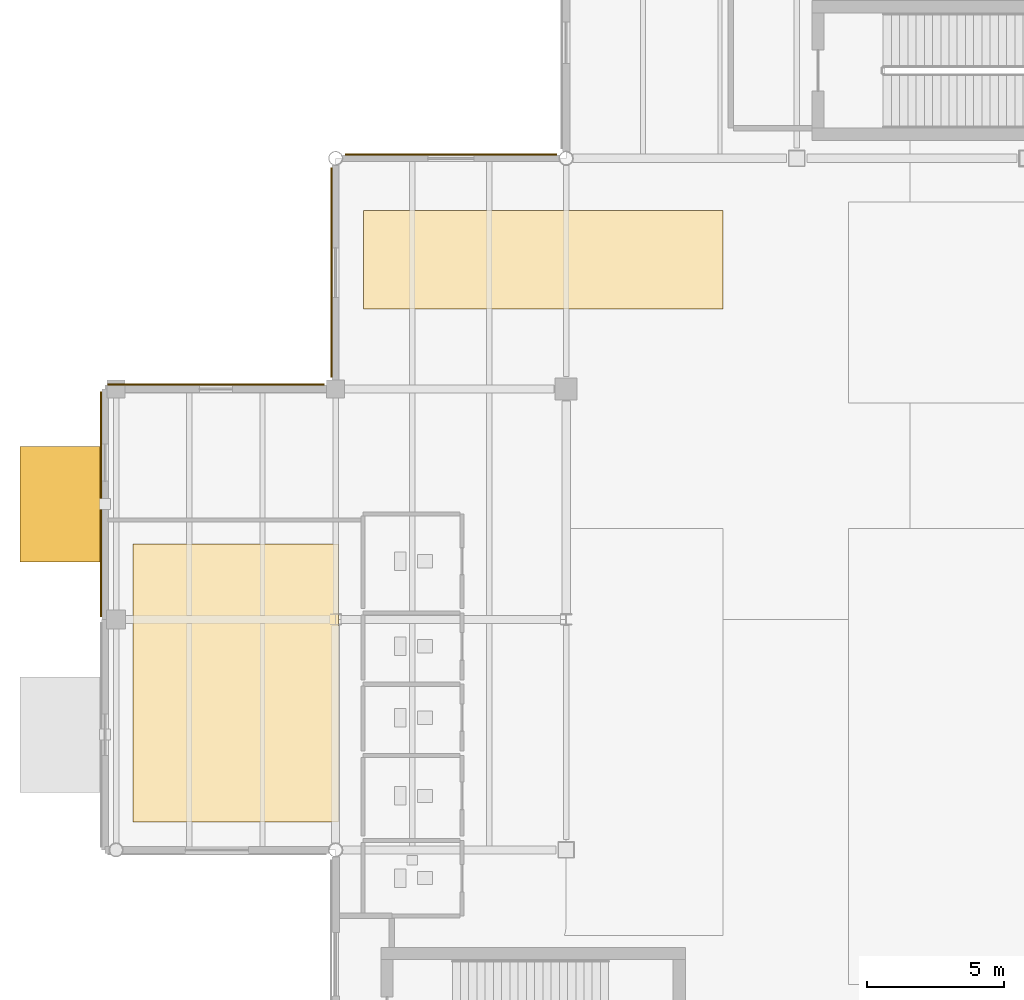
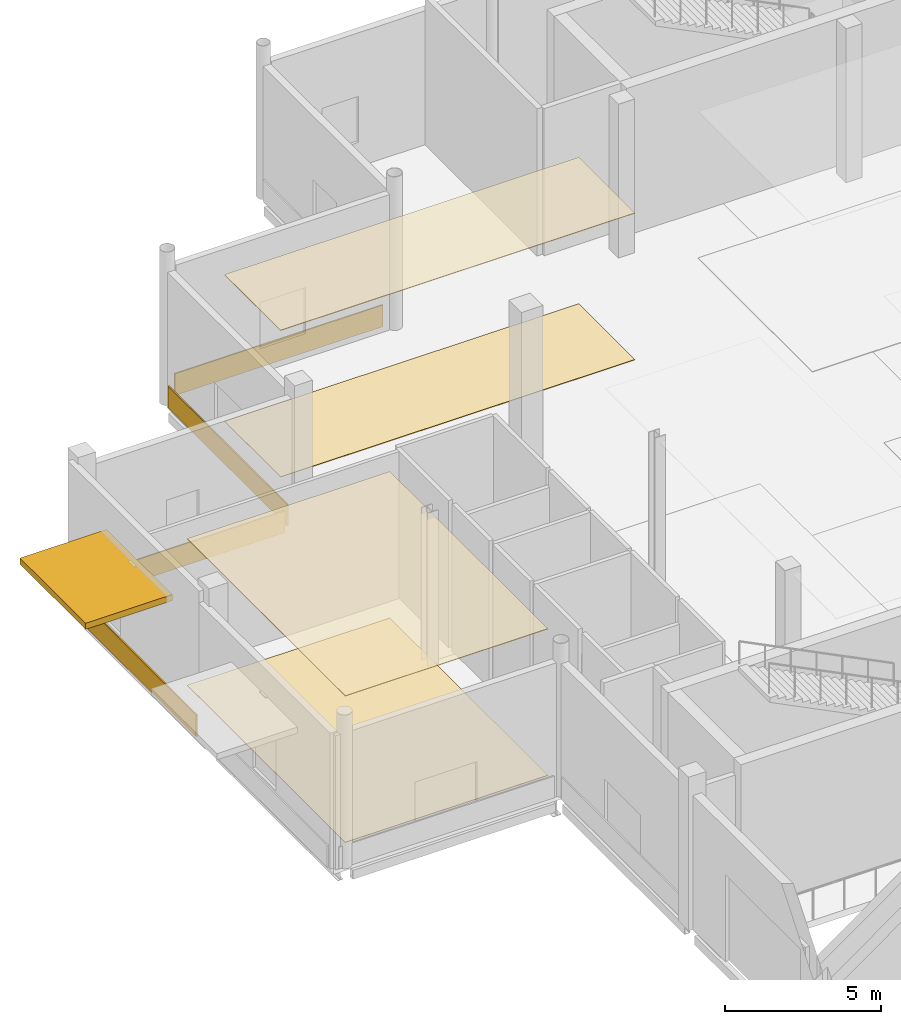
# One storey, part 73 of 85: 8 coverings, 1 shading device.
"""IFC4 building model written with IfcOpenShell, lengths in metres."""

from ifc_helpers import new_model, si_unit, direction, frame, origin, origin_2d, place, context, subcontext, project, spatial, polyline, rectangle, outline, extrude, material, layer, layer_set, type_object, element, save


model = new_model("IFC4")

# Units and contexts
model_context = context("Model", 3, precision=1e-05, world=origin(), true_north=direction((0.0, 1.0)))
body_context = subcontext(model_context, "Body", "Model", "MODEL_VIEW")
ifc_project = project(units=[si_unit("LENGTHUNIT", "METRE"), si_unit("AREAUNIT", "SQUARE_METRE"), si_unit("VOLUMEUNIT", "CUBIC_METRE"), si_unit("PLANEANGLEUNIT", "RADIAN"), si_unit("MASSUNIT", "GRAM", prefix="KILO"), si_unit("THERMODYNAMICTEMPERATUREUNIT", "KELVIN")], contexts=[model_context])

# Site, building, storey
site_placement = place(None, origin())
site = spatial("IfcSite", under=ifc_project, at=site_placement, CompositionType="ELEMENT")
building_placement = place(site_placement, origin())
building = spatial("IfcBuilding", under=site, at=building_placement, Name="Lustrewick Department Store", CompositionType="ELEMENT")
storey_placement = place(building_placement, origin())
storey = spatial("IfcBuildingStorey", under=building, at=storey_placement, Name="L01", CompositionType="ELEMENT", Elevation=0.0)

# Coverings
ifc_material_1 = material(Name="Rusticated Fangshan cream limestone", Category="masonry")
ifc_layer_1 = layer(ifc_material_1, 0.050048828125, Name="Rusticated Fangshan cream limestone")
ifc_layer_set_1 = layer_set([ifc_layer_1], Name="Rusticated Fangshan cream limestone")
covering_type_1 = type_object("IfcCoveringType", Name="CLD-LIME", PredefinedType="CLADDING", material=ifc_layer_set_1)
covering_1_placement = place(storey_placement, frame((12.60009765625, 84.14501953125, 0.02490234375), z_axis=(0.0, 0.0, 1.0), x_axis=(-1.0, 0.0, 0.0)))
element("IfcCovering", 1, at=covering_1_placement, inside=storey, type_object=covering_type_1, Name="L01 Limestone Plinth Band 016", PredefinedType="CLADDING", context=body_context, shape_type="SweptSolid", body=[
    extrude(rectangle(XDim=7.701904296875, YDim=0.050048828125, at=origin_2d()), origin(), (0.0, 0.0, 1.0), 0.85009765625),
])
covering_2_placement = place(storey_placement, frame((8.2451171875, 79.83544921875, 0.02490234375), z_axis=(0.0, 0.0, 1.0), x_axis=(0.0, -1.0, 0.0)))
element("IfcCovering", 2, at=covering_2_placement, inside=storey, type_object=covering_type_1, Name="L01 Limestone Plinth Band 017", PredefinedType="CLADDING", context=body_context, shape_type="SweptSolid", body=[
    extrude(rectangle(XDim=7.631103515625, YDim=0.050048828125, at=origin_2d()), origin(), (0.0, 0.0, 1.0), 0.85009765625),
])
covering_3_placement = place(storey_placement, frame((4.0400390625, 75.764892578125, 0.02490234375), z_axis=(0.0, 0.0, 1.0), x_axis=(-1.0, 0.0, 0.0)))
element("IfcCovering", 3, at=covering_3_placement, inside=storey, type_object=covering_type_1, Name="L01 Limestone Plinth Band 018", PredefinedType="CLADDING", context=body_context, shape_type="SweptSolid", body=[
    extrude(rectangle(XDim=7.8798828125, YDim=0.050048828125, at=origin_2d()), origin(), (0.0, 0.0, 1.0), 0.85009765625),
])
covering_4_placement = place(storey_placement, frame((-0.14501953125, 71.39990234375, 0.02490234375), z_axis=(0.0, 0.0, 1.0), x_axis=(0.0, -1.0, 0.0)))
element("IfcCovering", 4, at=covering_4_placement, inside=storey, type_object=covering_type_1, Name="L01 Limestone Plinth Band 019", PredefinedType="CLADDING", context=body_context, shape_type="SweptSolid", body=[
    extrude(rectangle(XDim=8.199951171875, YDim=0.050048828125, at=origin_2d()), origin(), (0.0, 0.0, 1.0), 0.85009765625),
])
ifc_material_2 = material(Name="Perforated mineral-fibre acoustic ceiling board", Category="gypsum")
ifc_layer_2 = layer(ifc_material_2, 0.02490234375, Name="Perforated mineral-fibre acoustic ceiling board")
ifc_layer_set_2 = layer_set([ifc_layer_2], Name="Perforated mineral-fibre acoustic ceiling board")
covering_type_2 = type_object("IfcCoveringType", Name="COV-CEIL", PredefinedType="CEILING", material=ifc_layer_set_2)
covering_5_placement = place(storey_placement, frame((0.0, 0.0, 5.719970703125)))
element("IfcCovering", 5, at=covering_5_placement, inside=storey, type_object=covering_type_2, Name="L01 Cosmetics and Perfumery Boutique Acoustic Ceiling", PredefinedType="CEILING", context=body_context, shape_type="SweptSolid", body=[
    extrude(outline(polyline([(8.510009765625, 62.242919921875), (8.513916015625, 62.3203125), (8.510009765625, 62.39697265625), (8.510009765625, 64.843017578125), (8.513916015625, 64.920166015625), (8.510009765625, 64.9970703125), (8.510009765625, 67.443115234375), (8.513916015625, 67.520263671875), (8.510009765625, 67.596923828125), (8.510009765625, 69.94677734375), (1.02001953125, 69.94677734375), (1.02001953125, 59.820068359375), (8.40087890625, 59.820068359375), (8.44384765625, 59.81884765625), (8.46044921875, 59.818115234375), (8.510009765625, 59.813232421875), (8.510009765625, 62.242919921875)])), origin(), (0.0, 0.0, 1.0), 0.025146484375),
])
covering_6_placement = place(storey_placement, frame((0.0, 0.0, 5.719970703125)))
element("IfcCovering", 6, at=covering_6_placement, inside=storey, type_object=covering_type_2, Name="L01 Central Domed Atrium Showroom Acoustic Ceiling", PredefinedType="CEILING", context=body_context, shape_type="SweptSolid", body=[
    extrude(outline(polyline([(22.510009765625, 82.104736328125), (9.419921875, 82.104736328125), (9.419921875, 78.5126953125), (22.510009765625, 78.5126953125), (22.510009765625, 82.104736328125)])), origin(), (0.0, 0.0, 1.0), 0.025146484375),
])
ifc_material_3 = material(Name="Polished terrazzo and porcelain floor finish", Category="masonry")
ifc_layer_3 = layer(ifc_material_3, 0.02001953125, Name="Polished terrazzo and porcelain floor finish")
ifc_layer_set_3 = layer_set([ifc_layer_3], Name="Polished terrazzo and porcelain floor finish")
covering_type_3 = type_object("IfcCoveringType", Name="COV-FLR", PredefinedType="FLOORING", material=ifc_layer_set_3)
covering_7_placement = place(storey_placement, origin())
element("IfcCovering", 7, at=covering_7_placement, inside=storey, type_object=covering_type_3, Name="L01 Cosmetics and Perfumery Boutique Terrazzo Flooring", PredefinedType="FLOORING", context=body_context, shape_type="SweptSolid", body=[
    extrude(outline(polyline([(8.510009765625, 62.242919921875), (8.513916015625, 62.3203125), (8.510009765625, 62.39697265625), (8.510009765625, 64.843017578125), (8.513916015625, 64.920166015625), (8.510009765625, 64.9970703125), (8.510009765625, 67.443115234375), (8.513916015625, 67.520263671875), (8.510009765625, 67.596923828125), (8.510009765625, 69.94677734375), (1.02001953125, 69.94677734375), (1.02001953125, 59.820068359375), (8.40087890625, 59.820068359375), (8.44384765625, 59.81884765625), (8.46044921875, 59.818115234375), (8.510009765625, 59.813232421875), (8.510009765625, 62.242919921875)])), origin(), (0.0, 0.0, 1.0), 0.02001953125),
])
covering_8_placement = place(storey_placement, origin())
element("IfcCovering", 8, at=covering_8_placement, inside=storey, type_object=covering_type_3, Name="L01 Central Domed Atrium Showroom Terrazzo Flooring", PredefinedType="FLOORING", context=body_context, shape_type="SweptSolid", body=[
    extrude(outline(polyline([(22.510009765625, 82.104736328125), (9.419921875, 82.104736328125), (9.419921875, 78.5126953125), (22.510009765625, 78.5126953125), (22.510009765625, 82.104736328125)])), origin(), (0.0, 0.0, 1.0), 0.02001953125),
])

# Shading device
ifc_material_4 = material(Name="Charcoal-black painted steel and laminated glass marquise", Category="steel")
shading_device_type = type_object("IfcShadingDeviceType", Name="SHD-MARQ", PredefinedType="AWNING", material=ifc_material_4)
shading_device_placement = place(storey_placement, frame((-1.5, 71.39990234375, 4.02978515625), z_axis=(0.0, 0.0, 1.0), x_axis=(0.0, 1.0, 0.0)))
element("IfcShadingDevice", 9, at=shading_device_placement, inside=storey, type_object=shading_device_type, Name="L01 Art Nouveau Entrance Marquise 06", PredefinedType="AWNING", context=body_context, shape_type="SweptSolid", body=[
    extrude(rectangle(XDim=4.199951171875, YDim=3.199951171875, at=origin_2d()), origin(), (0.0, 0.0, 1.0), 0.239990234375),
])

save(model, "model.ifc")
